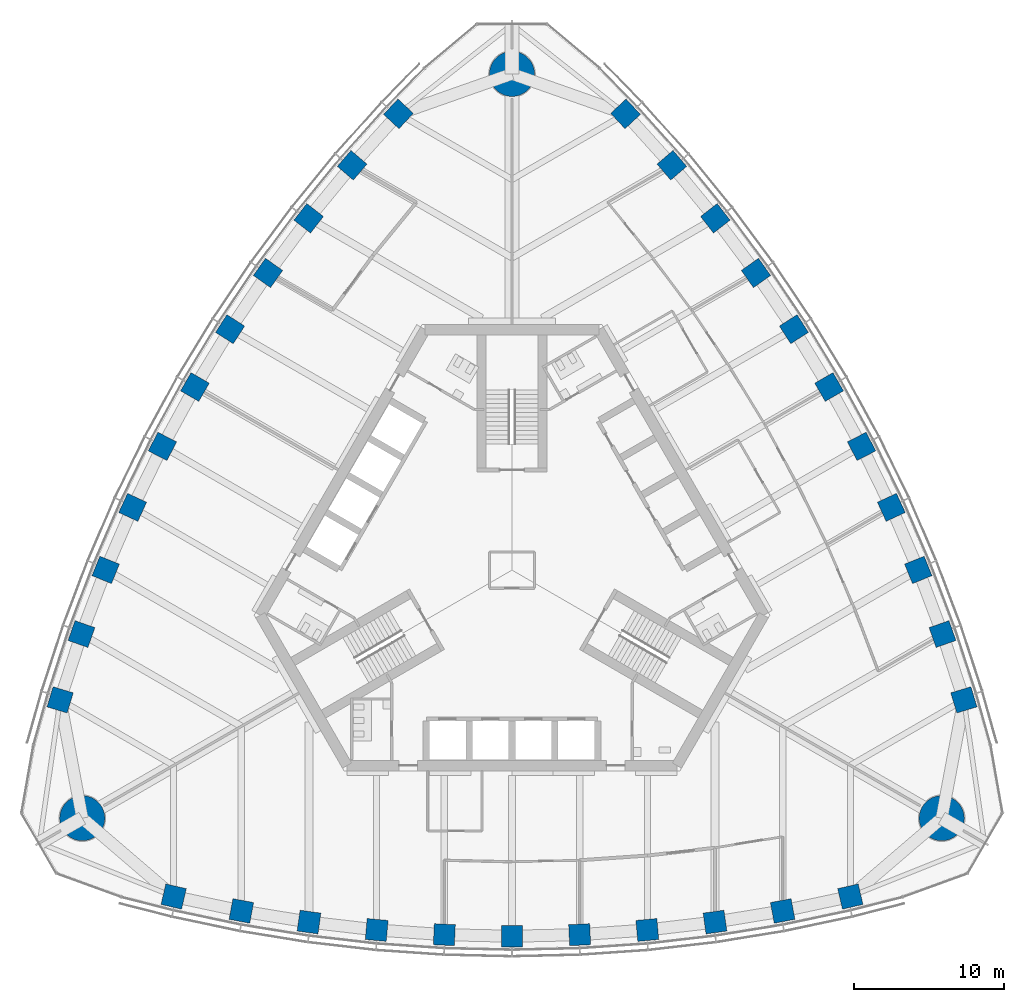
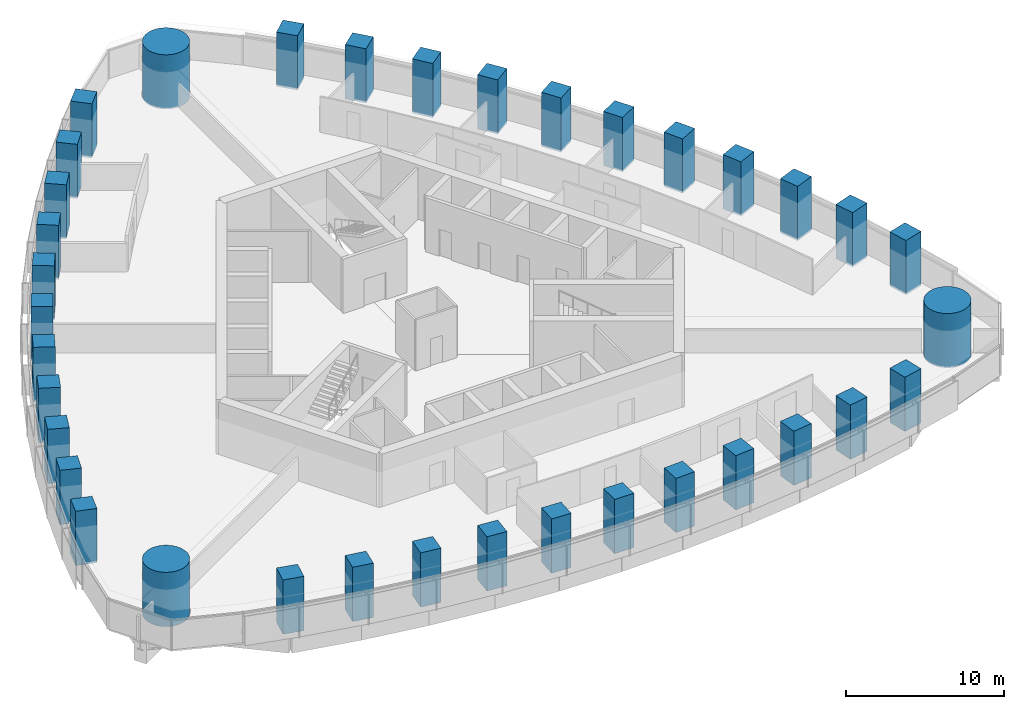
# One storey, part 1 of 19: 36 columns.
"""IFC4 building model written with IfcOpenShell, lengths in metres."""

from ifc_helpers import new_model, si_unit, direction, frame, origin, origin_2d, place, context, subcontext, project, spatial, rectangle, circle, extrude, material, material_profile, profile_set, type_object, element, save


model = new_model("IFC4")

# Units and contexts
model_context = context("Model", 3, precision=1e-05, world=origin(), true_north=direction((0.0, 1.0)))
body_context = subcontext(model_context, "Body", "Model", "MODEL_VIEW")
ifc_project = project(units=[si_unit("LENGTHUNIT", "METRE"), si_unit("AREAUNIT", "SQUARE_METRE"), si_unit("VOLUMEUNIT", "CUBIC_METRE"), si_unit("PLANEANGLEUNIT", "RADIAN"), si_unit("MASSUNIT", "GRAM", prefix="KILO")], contexts=[model_context])

# Site, building, storey
site_placement = place(None, origin())
site = spatial("IfcSite", under=ifc_project, at=site_placement, CompositionType="ELEMENT")
building_placement = place(site_placement, origin())
building = spatial("IfcBuilding", under=site, at=building_placement, Name="Trefoil Bronze Tower", CompositionType="ELEMENT")
storey_placement = place(building_placement, frame((0.0, 0.0, 261.10009765625)))
storey = spatial("IfcBuildingStorey", under=building, at=storey_placement, Name="L60", CompositionType="ELEMENT", Elevation=261.10009765625)

# Columns
ifc_material_1 = material(Name="Concrete B80", Category="concrete")
ifc_material_profile_1 = material_profile(ifc_material_1, circle(Radius=1.5, at=origin_2d()), Name="RC D3000")
ifc_profile_set_1 = profile_set([ifc_material_profile_1], Name="Concrete B80")
column_type_1 = type_object("IfcColumnType", Name="Mega column RC D3000", PredefinedType="COLUMN", material=ifc_profile_set_1)
for number, where, z_axis, x_axis, name in (
    (1, (28.578857421875, -16.5, 0.0), (0.0, 0.0, 1.0), (1.0, 0.0, 0.0), "Mega column K1 L60"),
    (2, (0.0, 33.0, 0.0), (0.0, 0.0, 1.0), (1.0, 0.0, 0.0), "Mega column K2 L60"),
    (3, (-28.578857421875, -16.5, 0.0), (0.0, 0.0, 1.0), (1.0, 0.0, 0.0), "Mega column K3 L60"),
):
    element("IfcColumn", number, at=place(storey_placement, frame(where, z_axis=z_axis, x_axis=x_axis)), inside=storey, type_object=column_type_1, Name=name, PredefinedType="COLUMN", context=body_context, shape_type="SweptSolid", body=[
        extrude(circle(Radius=1.5, at=origin_2d()), origin(), (0.0, 0.0, 1.0), 4.199951171875),
    ])
ifc_material_2 = material(Name="Concrete B80", Category="concrete")
ifc_material_profile_2 = material_profile(ifc_material_2, rectangle(XDim=1.39990234375, YDim=1.39990234375, at=origin_2d()), Name="RC 1400x1400")
ifc_profile_set_2 = profile_set([ifc_material_profile_2], Name="Concrete B80")
column_type_2 = type_object("IfcColumnType", Name="Tube column RC 1400x1400", PredefinedType="COLUMN", material=ifc_profile_set_2)
for number, where, z_axis, x_axis, name in (
    (4, (-22.5, -21.71044921875, 0.0), (0.0, 0.0, 1.0), (0.973875487093, -0.227082662569, 0.0), "Tube column F1/-5 L60"),
    (5, (-18.0, -22.6689453125, 0.0), (0.0, 0.0, 1.0), (0.982958917767, -0.183825368167, 0.0), "Tube column F1/-4 L60"),
    (6, (-13.5, -23.408447265625, 0.0), (0.0, 0.0, 1.0), (0.990450627582, -0.137867887204, 0.0), "Tube column F1/-3 L60"),
    (7, (-9.0, -23.932861328125, 0.0), (0.0, 0.0, 1.0), (0.995767189263, -0.091911396394, 0.0), "Tube column F1/-2 L60"),
    (8, (-4.5, -24.246337890625, 0.0), (0.0, 0.0, 1.0), (0.998943485952, -0.045955542372, 0.0), "Tube column F1/-1 L60"),
    (9, (0.0, -24.3505859375, 0.0), (0.0, 0.0, 1.0), (1.0, 0.0, 0.0), "Tube column F1/+0 L60"),
    (10, (4.5, -24.246337890625, 0.0), (0.0, 0.0, 1.0), (0.998943485952, 0.045955542372, 0.0), "Tube column F1/+1 L60"),
    (11, (9.0, -23.932861328125, 0.0), (0.0, 0.0, 1.0), (0.995767189263, 0.091911396394, 0.0), "Tube column F1/+2 L60"),
    (12, (13.5, -23.408447265625, 0.0), (0.0, 0.0, 1.0), (0.990450627582, 0.137867887204, 0.0), "Tube column F1/+3 L60"),
    (13, (18.0, -22.6689453125, 0.0), (0.0, 0.0, 1.0), (0.982958917767, 0.183825368167, 0.0), "Tube column F1/+4 L60"),
    (14, (22.5, -21.71044921875, 0.0), (0.0, 0.0, 1.0), (0.973875487093, 0.227082662569, 0.0), "Tube column F1/+5 L60"),
    (15, (30.052001953125, -8.63037109375, 0.0), (0.0, 0.0, 1.0), (-0.290278389002, 0.95694224323, 0.0), "Tube column F2/-5 L60"),
    (16, (28.632080078125, -4.25390625, 0.0), (0.0, 0.0, 1.0), (-0.332282020191, 0.943180077746, 0.0), "Tube column F2/-4 L60"),
    (17, (27.022216796875, 0.012939453125, 0.0), (0.0, 0.0, 1.0), (-0.375828221106, 0.926689348282, 0.0), "Tube column F2/-3 L60"),
    (18, (25.2265625, 4.17236328125, 0.0), (0.0, 0.0, 1.0), (-0.418285990457, 0.908315380354, 0.0), "Tube column F2/-2 L60"),
    (19, (23.248046875, 8.22607421875, 0.0), (0.0, 0.0, 1.0), (-0.459673075837, 0.888088206965, 0.0), "Tube column F2/-1 L60"),
    (20, (21.08837890625, 12.17529296875, 0.0), (0.0, 0.0, 1.0), (-0.5, 0.866025403784, 0.0), "Tube column F2/+0 L60"),
    (21, (18.748046875, 16.020263671875, 0.0), (0.0, 0.0, 1.0), (-0.539270410114, 0.842132664593, 0.0), "Tube column F2/+1 L60"),
    (22, (16.2265625, 19.7607421875, 0.0), (0.0, 0.0, 1.0), (-0.577481198806, 0.81640398396, 0.0), "Tube column F2/+2 L60"),
    (23, (13.522216796875, 23.3955078125, 0.0), (0.0, 0.0, 1.0), (-0.614622406476, 0.788821461078, 0.0), "Tube column F2/+3 L60"),
    (24, (10.632080078125, 26.923095703125, 0.0), (0.0, 0.0, 1.0), (-0.650676897576, 0.75935470958, 0.0), "Tube column F2/+4 L60"),
    (25, (7.552001953125, 30.3408203125, 0.0), (0.0, 0.0, 1.0), (-0.683597098091, 0.729859580661, 0.0), "Tube column F2/+5 L60"),
    (26, (-7.552001953125, 30.3408203125, 0.0), (0.0, 0.0, 1.0), (-0.683597098091, -0.729859580661, 0.0), "Tube column F3/-5 L60"),
    (27, (-10.632080078125, 26.923095703125, 0.0), (0.0, 0.0, 1.0), (-0.650676897576, -0.75935470958, 0.0), "Tube column F3/-4 L60"),
    (28, (-13.522216796875, 23.3955078125, 0.0), (0.0, 0.0, 1.0), (-0.614622406476, -0.788821461078, 0.0), "Tube column F3/-3 L60"),
    (29, (-16.2265625, 19.7607421875, 0.0), (0.0, 0.0, 1.0), (-0.577481198806, -0.81640398396, 0.0), "Tube column F3/-2 L60"),
    (30, (-18.748046875, 16.020263671875, 0.0), (0.0, 0.0, 1.0), (-0.539270410114, -0.842132664593, 0.0), "Tube column F3/-1 L60"),
    (31, (-21.08837890625, 12.17529296875, 0.0), (0.0, 0.0, 1.0), (-0.5, -0.866025403784, 0.0), "Tube column F3/+0 L60"),
    (32, (-23.248046875, 8.22607421875, 0.0), (0.0, 0.0, 1.0), (-0.459673075837, -0.888088206965, 0.0), "Tube column F3/+1 L60"),
    (33, (-25.2265625, 4.17236328125, 0.0), (0.0, 0.0, 1.0), (-0.418285990457, -0.908315380354, 0.0), "Tube column F3/+2 L60"),
    (34, (-27.022216796875, 0.012939453125, 0.0), (0.0, 0.0, 1.0), (-0.375828221106, -0.926689348282, 0.0), "Tube column F3/+3 L60"),
    (35, (-28.632080078125, -4.25390625, 0.0), (0.0, 0.0, 1.0), (-0.332282020191, -0.943180077746, 0.0), "Tube column F3/+4 L60"),
    (36, (-30.052001953125, -8.63037109375, 0.0), (0.0, 0.0, 1.0), (-0.290278389002, -0.95694224323, 0.0), "Tube column F3/+5 L60"),
):
    element("IfcColumn", number, at=place(storey_placement, frame(where, z_axis=z_axis, x_axis=x_axis)), inside=storey, type_object=column_type_2, Name=name, PredefinedType="COLUMN", context=body_context, shape_type="SweptSolid", body=[
        extrude(rectangle(XDim=1.39990234375, YDim=1.39990234375, at=origin_2d()), origin(), (0.0, 0.0, 1.0), 4.199951171875),
    ])

save(model, "model.ifc")
